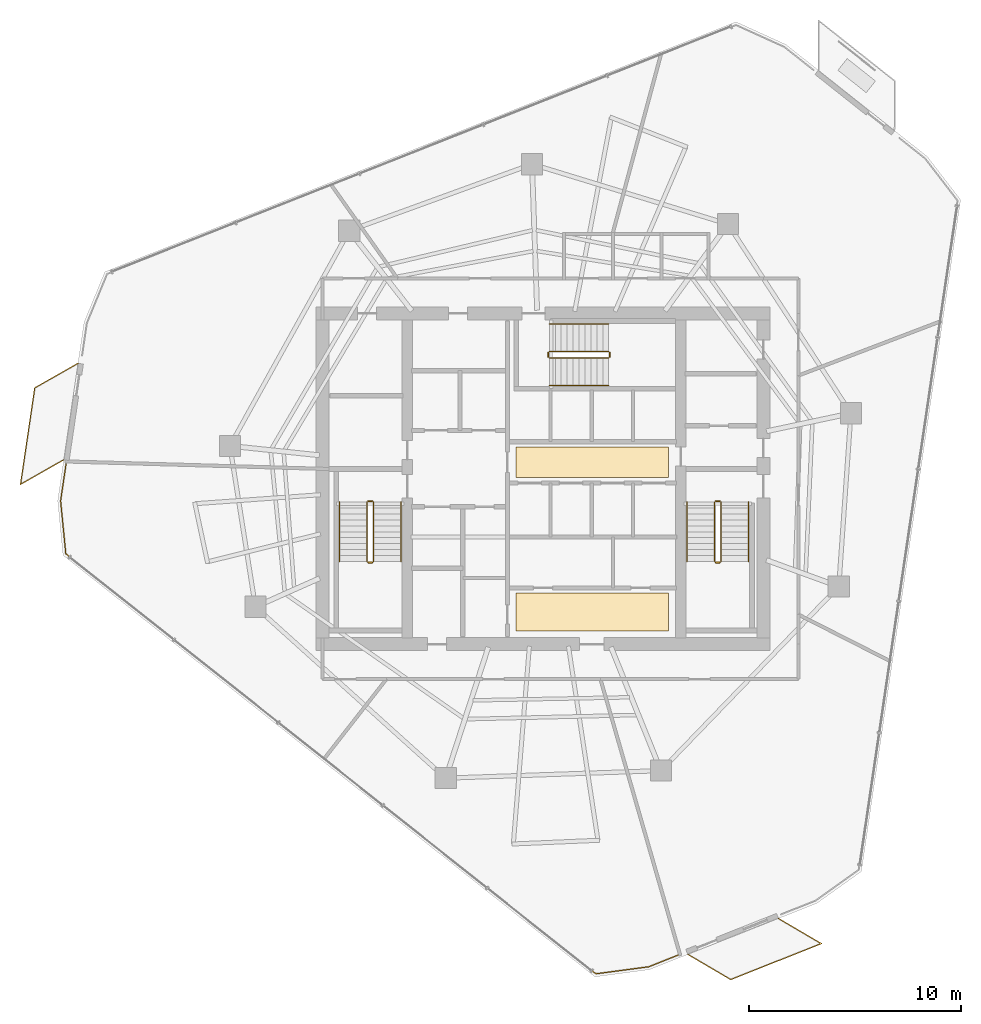
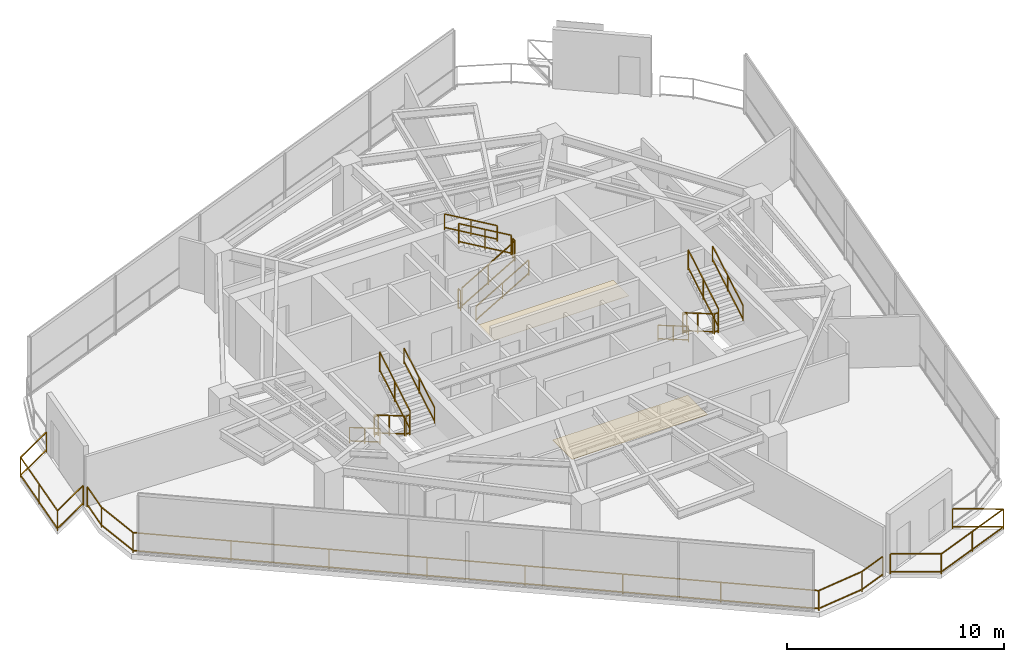
# One storey, part 19 of 20: 21 railings, 2 coverings.
"""IFC4 building model written with IfcOpenShell, lengths in metres."""

from ifc_helpers import new_model, si_unit, direction, frame, origin, origin_2d, place, context, subcontext, project, spatial, rectangle, extrude, material, layer, layer_set, type_object, element, save


model = new_model("IFC4")

# Units and contexts
model_context = context("Model", 3, precision=1e-05, world=origin(), true_north=direction((0.0, 1.0)))
body_context = subcontext(model_context, "Body", "Model", "MODEL_VIEW")
ifc_project = project(units=[si_unit("LENGTHUNIT", "METRE"), si_unit("AREAUNIT", "SQUARE_METRE"), si_unit("VOLUMEUNIT", "CUBIC_METRE"), si_unit("PLANEANGLEUNIT", "RADIAN"), si_unit("MASSUNIT", "GRAM", prefix="KILO")], contexts=[model_context])

# Site, building, storey
site_placement = place(None, origin())
site = spatial("IfcSite", under=ifc_project, at=site_placement, CompositionType="ELEMENT")
building_placement = place(site_placement, origin())
building = spatial("IfcBuilding", under=site, at=building_placement, Name="Qarnah Convention Tower", CompositionType="ELEMENT")
storey_placement = place(building_placement, frame((0.0, 0.0, 147.300048828125)))
storey = spatial("IfcBuildingStorey", under=building, at=storey_placement, Name="L39", CompositionType="ELEMENT", Elevation=147.300048828125)

# Coverings
ifc_material_1 = material(Name="Mineral fibre acoustic ceiling")
ifc_layer_1 = layer(ifc_material_1, 0.02001953125)
ifc_layer_set_1 = layer_set([ifc_layer_1], Name="Mineral fibre acoustic ceiling")
covering_type_1 = type_object("IfcCoveringType", Name="COV-CEIL-20", PredefinedType="CEILING", material=ifc_layer_set_1)
covering_1_placement = place(storey_placement, frame((39.52001953125, 27.179931640625, 2.2900390625), z_axis=(0.0, 0.0, 1.0), x_axis=(1.0, 0.0, 0.0)))
element("IfcCovering", 1, at=covering_1_placement, inside=storey, type_object=covering_type_1, Name="L39 lift lobby acoustic ceiling", PredefinedType="CEILING", context=body_context, shape_type="SweptSolid", body=[
    extrude(rectangle(XDim=7.199951171875, YDim=1.449951171875, at=origin_2d()), origin(), (0.0, 0.0, 1.0), 0.02001953125),
])
ifc_material_2 = material(Name="Porcelain stone floor tile", Category="masonry")
ifc_layer_2 = layer(ifc_material_2, 0.02001953125)
ifc_layer_set_2 = layer_set([ifc_layer_2], Name="Porcelain stone floor tile")
covering_type_2 = type_object("IfcCoveringType", Name="COV-FLOOR-20", PredefinedType="FLOORING", material=ifc_layer_set_2)
covering_2_placement = place(storey_placement, frame((39.52001953125, 20.1201171875, 0.0), z_axis=(0.0, 0.0, 1.0), x_axis=(1.0, 0.0, 0.0)))
element("IfcCovering", 2, at=covering_2_placement, inside=storey, type_object=covering_type_2, Name="L39 lift lobby porcelain stone flooring", PredefinedType="FLOORING", context=body_context, shape_type="SweptSolid", body=[
    extrude(rectangle(XDim=7.199951171875, YDim=1.800048828125, at=origin_2d()), origin(), (0.0, 0.0, 1.0), 0.02001953125),
])

# Railings
ifc_material_3 = material(Name="Black anodised aluminium", Category="aluminium")
railing_type_1 = type_object("IfcRailingType", Name="RL-EXT-GUARD-1150", PredefinedType="GUARDRAIL", material=ifc_material_3)
railing_1_placement = place(storey_placement, frame((43.6220703125, 3.948974609375, 0.0)))
element("IfcRailing", 3, at=railing_1_placement, inside=storey, type_object=railing_type_1, Name="L39 slab-edge perimeter safety guard 03", PredefinedType="GUARDRAIL", context=body_context, shape_type="SweptSolid", body=[
    extrude(rectangle(XDim=0.048095703125, YDim=0.048095703125, at=origin_2d()), frame((0.0, 0.0, 1.1259765625), z_axis=(-0.929848103441, -0.367943615962, 0.0), x_axis=(0.367943615962, -0.929848103441, 0.0)), (0.0, 0.0, 1.0), 1.552001953125),
    extrude(rectangle(XDim=0.048095703125, YDim=0.048095703125, at=origin_2d()), frame((0.0, 0.0, 0.1201171875), z_axis=(-0.929848103441, -0.367943615962, 0.0), x_axis=(0.367943615962, -0.929848103441, 0.0)), (0.0, 0.0, 1.0), 1.552001953125),
    extrude(rectangle(XDim=0.048095703125, YDim=0.048095703125, at=origin_2d()), frame((-1.443115234375, -0.571044921875, 1.1259765625), z_axis=(-0.991247460801, -0.132016936248, 0.0), x_axis=(0.132016936248, -0.991247460801, 0.0)), (0.0, 0.0, 1.0), 2.505859375),
    extrude(rectangle(XDim=0.048095703125, YDim=0.048095703125, at=origin_2d()), frame((-1.443115234375, -0.571044921875, 0.1201171875), z_axis=(-0.991247460801, -0.132016936248, 0.0), x_axis=(0.132016936248, -0.991247460801, 0.0)), (0.0, 0.0, 1.0), 2.505859375),
    extrude(rectangle(XDim=0.048095703125, YDim=0.048095703125, at=origin_2d()), frame((-3.927001953125, -0.90185546875, 1.1259765625), z_axis=(-0.783704834788, 0.621133425223, 0.0), x_axis=(-0.621133425223, -0.783704834788, 0.0)), (0.0, 0.0, 1.0), 31.907470703125),
    extrude(rectangle(XDim=0.048095703125, YDim=0.048095703125, at=origin_2d()), frame((-3.927001953125, -0.90185546875, 0.1201171875), z_axis=(-0.783704834788, 0.621133425223, 0.0), x_axis=(-0.621133425223, -0.783704834788, 0.0)), (0.0, 0.0, 1.0), 31.907470703125),
    extrude(rectangle(XDim=0.048095703125, YDim=0.048095703125, at=origin_2d()), frame((-28.93310546875, 18.9169921875, 1.1259765625), z_axis=(-0.097671658435, 0.995218693122, 0.0), x_axis=(-0.995218693122, -0.097671658435, 0.0)), (0.0, 0.0, 1.0), 2.507080078125),
    extrude(rectangle(XDim=0.048095703125, YDim=0.048095703125, at=origin_2d()), frame((-28.93310546875, 18.9169921875, 0.1201171875), z_axis=(-0.097671658435, 0.995218693122, 0.0), x_axis=(-0.995218693122, -0.097671658435, 0.0)), (0.0, 0.0, 1.0), 2.507080078125),
    extrude(rectangle(XDim=0.048095703125, YDim=0.048095703125, at=origin_2d()), frame((-29.177978515625, 21.412109375, 1.1259765625), z_axis=(0.146247504008, 0.989248031371, 0.0), x_axis=(-0.989248031371, 0.146247504008, 0.0)), (0.0, 0.0, 1.0), 1.762939453125),
    extrude(rectangle(XDim=0.048095703125, YDim=0.048095703125, at=origin_2d()), frame((-29.177978515625, 21.412109375, 0.1201171875), z_axis=(0.146247504008, 0.989248031371, 0.0), x_axis=(-0.989248031371, 0.146247504008, 0.0)), (0.0, 0.0, 1.0), 1.762939453125),
    extrude(rectangle(XDim=0.0419921875, YDim=0.0419921875, at=origin_2d()), origin(), (0.0, 0.0, 1.0), 1.101806640625),
    extrude(rectangle(XDim=0.0419921875, YDim=0.0419921875, at=origin_2d()), frame((-1.443115234375, -0.571044921875, 0.0)), (0.0, 0.0, 1.0), 1.101806640625),
    extrude(rectangle(XDim=0.0419921875, YDim=0.0419921875, at=origin_2d()), frame((-3.927001953125, -0.90185546875, 0.0)), (0.0, 0.0, 1.0), 1.101806640625),
    extrude(rectangle(XDim=0.0419921875, YDim=0.0419921875, at=origin_2d()), frame((-7.499267578125, 1.929443359375, 0.0)), (0.0, 0.0, 1.0), 1.101806640625),
    extrude(rectangle(XDim=0.0419921875, YDim=0.0419921875, at=origin_2d()), frame((-11.071533203125, 4.7607421875, 0.0)), (0.0, 0.0, 1.0), 1.101806640625),
    extrude(rectangle(XDim=0.0419921875, YDim=0.0419921875, at=origin_2d()), frame((-14.643798828125, 7.592041015625, 0.0)), (0.0, 0.0, 1.0), 1.101806640625),
    extrude(rectangle(XDim=0.0419921875, YDim=0.0419921875, at=origin_2d()), frame((-18.21630859375, 10.423095703125, 0.0)), (0.0, 0.0, 1.0), 1.101806640625),
    extrude(rectangle(XDim=0.0419921875, YDim=0.0419921875, at=origin_2d()), frame((-21.78857421875, 13.25439453125, 0.0)), (0.0, 0.0, 1.0), 1.101806640625),
    extrude(rectangle(XDim=0.0419921875, YDim=0.0419921875, at=origin_2d()), frame((-25.36083984375, 16.085693359375, 0.0)), (0.0, 0.0, 1.0), 1.101806640625),
    extrude(rectangle(XDim=0.0419921875, YDim=0.0419921875, at=origin_2d()), frame((-28.93310546875, 18.9169921875, 0.0)), (0.0, 0.0, 1.0), 1.101806640625),
    extrude(rectangle(XDim=0.0419921875, YDim=0.0419921875, at=origin_2d()), frame((-29.177978515625, 21.412109375, 0.0)), (0.0, 0.0, 1.0), 1.101806640625),
    extrude(rectangle(XDim=0.0419921875, YDim=0.0419921875, at=origin_2d()), frame((-28.920166015625, 23.156005859375, 0.0)), (0.0, 0.0, 1.0), 1.101806640625),
])
railing_2_placement = place(storey_placement, frame((14.593017578125, 27.2958984375, 0.0)))
element("IfcRailing", 4, at=railing_2_placement, inside=storey, type_object=railing_type_1, Name="L39 balcony safety guard BAL-L39-C2", PredefinedType="GUARDRAIL", context=body_context, shape_type="SweptSolid", body=[
    extrude(rectangle(XDim=0.048095703125, YDim=0.048095703125, at=origin_2d()), frame((0.0, 0.0, 1.1259765625), z_axis=(-0.869411885232, -0.494088022337, 0.0), x_axis=(0.494088022337, -0.869411885232, 0.0)), (0.0, 0.0, 1.0), 2.34765625),
    extrude(rectangle(XDim=0.048095703125, YDim=0.048095703125, at=origin_2d()), frame((0.0, 0.0, 0.1201171875), z_axis=(-0.869411885232, -0.494088022337, 0.0), x_axis=(0.494088022337, -0.869411885232, 0.0)), (0.0, 0.0, 1.0), 2.34765625),
    extrude(rectangle(XDim=0.048095703125, YDim=0.048095703125, at=origin_2d()), frame((-2.041015625, -1.159912109375, 1.1259765625), z_axis=(0.146100510977, 0.989269751227, 0.0), x_axis=(-0.989269751227, 0.146100510977, 0.0)), (0.0, 0.0, 1.0), 4.600341796875),
    extrude(rectangle(XDim=0.048095703125, YDim=0.048095703125, at=origin_2d()), frame((-2.041015625, -1.159912109375, 0.1201171875), z_axis=(0.146100510977, 0.989269751227, 0.0), x_axis=(-0.989269751227, 0.146100510977, 0.0)), (0.0, 0.0, 1.0), 4.600341796875),
    extrude(rectangle(XDim=0.048095703125, YDim=0.048095703125, at=origin_2d()), frame((-1.368896484375, 3.39111328125, 1.1259765625), z_axis=(0.869565194442, 0.493818157437, 0.0), x_axis=(-0.493818157437, 0.869565194442, 0.0)), (0.0, 0.0, 1.0), 2.346923828125),
    extrude(rectangle(XDim=0.048095703125, YDim=0.048095703125, at=origin_2d()), frame((-1.368896484375, 3.39111328125, 0.1201171875), z_axis=(0.869565194442, 0.493818157437, 0.0), x_axis=(-0.493818157437, 0.869565194442, 0.0)), (0.0, 0.0, 1.0), 2.346923828125),
    extrude(rectangle(XDim=0.0419921875, YDim=0.0419921875, at=origin_2d()), origin(), (0.0, 0.0, 1.0), 1.101806640625),
    extrude(rectangle(XDim=0.0419921875, YDim=0.0419921875, at=origin_2d()), frame((-2.041015625, -1.159912109375, 0.0)), (0.0, 0.0, 1.0), 1.101806640625),
    extrude(rectangle(XDim=0.0419921875, YDim=0.0419921875, at=origin_2d()), frame((-1.705078125, 1.11572265625, 0.0)), (0.0, 0.0, 1.0), 1.101806640625),
    extrude(rectangle(XDim=0.0419921875, YDim=0.0419921875, at=origin_2d()), frame((-1.368896484375, 3.39111328125, 0.0)), (0.0, 0.0, 1.0), 1.101806640625),
    extrude(rectangle(XDim=0.0419921875, YDim=0.0419921875, at=origin_2d()), frame((0.671875, 4.550048828125, 0.0)), (0.0, 0.0, 1.0), 1.101806640625),
])
railing_3_placement = place(storey_placement, frame((48.305908203125, 5.657958984375, 0.0)))
element("IfcRailing", 5, at=railing_3_placement, inside=storey, type_object=railing_type_1, Name="L39 balcony safety guard BAL-L39-C3", PredefinedType="GUARDRAIL", context=body_context, shape_type="SweptSolid", body=[
    extrude(rectangle(XDim=0.048095703125, YDim=0.048095703125, at=origin_2d()), frame((0.0, 0.0, 1.1259765625), z_axis=(0.862543058658, -0.505983667683, 0.0), x_axis=(0.505983667683, 0.862543058658, 0.0)), (0.0, 0.0, 1.0), 2.347900390625),
    extrude(rectangle(XDim=0.048095703125, YDim=0.048095703125, at=origin_2d()), frame((0.0, 0.0, 0.1201171875), z_axis=(0.862543058658, -0.505983667683, 0.0), x_axis=(0.505983667683, 0.862543058658, 0.0)), (0.0, 0.0, 1.0), 2.347900390625),
    extrude(rectangle(XDim=0.048095703125, YDim=0.048095703125, at=origin_2d()), frame((2.025146484375, -1.18798828125, 1.1259765625), z_axis=(-0.929817586099, -0.368020728467, 0.0), x_axis=(0.368020728467, -0.929817586099, 0.0)), (0.0, 0.0, 1.0), 4.599853515625),
    extrude(rectangle(XDim=0.048095703125, YDim=0.048095703125, at=origin_2d()), frame((2.025146484375, -1.18798828125, 0.1201171875), z_axis=(-0.929817586099, -0.368020728467, 0.0), x_axis=(0.368020728467, -0.929817586099, 0.0)), (0.0, 0.0, 1.0), 4.599853515625),
    extrude(rectangle(XDim=0.048095703125, YDim=0.048095703125, at=origin_2d()), frame((-2.251953125, -2.880859375, 1.1259765625), z_axis=(-0.862516433277, 0.506029052849, 0.0), x_axis=(-0.506029052849, -0.862516433277, 0.0)), (0.0, 0.0, 1.0), 2.34765625),
    extrude(rectangle(XDim=0.048095703125, YDim=0.048095703125, at=origin_2d()), frame((-2.251953125, -2.880859375, 0.1201171875), z_axis=(-0.862516433277, 0.506029052849, 0.0), x_axis=(-0.506029052849, -0.862516433277, 0.0)), (0.0, 0.0, 1.0), 2.34765625),
    extrude(rectangle(XDim=0.0419921875, YDim=0.0419921875, at=origin_2d()), origin(), (0.0, 0.0, 1.0), 1.101806640625),
    extrude(rectangle(XDim=0.0419921875, YDim=0.0419921875, at=origin_2d()), frame((2.025146484375, -1.18798828125, 0.0)), (0.0, 0.0, 1.0), 1.101806640625),
    extrude(rectangle(XDim=0.0419921875, YDim=0.0419921875, at=origin_2d()), frame((-0.11328125, -2.034423828125, 0.0)), (0.0, 0.0, 1.0), 1.101806640625),
    extrude(rectangle(XDim=0.0419921875, YDim=0.0419921875, at=origin_2d()), frame((-2.251953125, -2.880859375, 0.0)), (0.0, 0.0, 1.0), 1.101806640625),
    extrude(rectangle(XDim=0.0419921875, YDim=0.0419921875, at=origin_2d()), frame((-4.27685546875, -1.69287109375, 0.0)), (0.0, 0.0, 1.0), 1.101806640625),
])
ifc_material_4 = material(Name="Structural steel S355JR", Category="steel")
railing_type_2 = type_object("IfcRailingType", Name="RL-STAIR-GUARD-1150", PredefinedType="GUARDRAIL", material=ifc_material_4)
railing_4_placement = place(storey_placement, frame((28.89990234375, 25.300048828125, 0.16357421875)))
element("IfcRailing", 6, at=railing_4_placement, inside=storey, type_object=railing_type_2, Name="L39 ST-1 stair guard 1", PredefinedType="GUARDRAIL", context=body_context, shape_type="SweptSolid", body=[
    extrude(rectangle(XDim=0.048095703125, YDim=0.048095703125, at=origin_2d()), frame((0.0, 0.0, 1.1259765625), z_axis=(0.0, -0.863360870873, 0.504586966384), x_axis=(1.0, 0.0, 0.0)), (0.0, 0.0, 1.0), 3.2431640625),
    extrude(rectangle(XDim=0.048095703125, YDim=0.048095703125, at=origin_2d()), frame((0.0, 0.0, 0.1201171875), z_axis=(0.0, -0.863360870873, 0.504586966384), x_axis=(1.0, 0.0, 0.0)), (0.0, 0.0, 1.0), 3.2431640625),
    extrude(rectangle(XDim=0.0419921875, YDim=0.0419921875, at=origin_2d()), origin(), (0.0, 0.0, 1.0), 1.101806640625),
    extrude(rectangle(XDim=0.0419921875, YDim=0.0419921875, at=origin_2d()), frame((0.0, -1.39990234375, 0.818359375)), (0.0, 0.0, 1.0), 1.101806640625),
    extrude(rectangle(XDim=0.0419921875, YDim=0.0419921875, at=origin_2d()), frame((0.0, -2.800048828125, 1.636474609375)), (0.0, 0.0, 1.0), 1.101806640625),
])
railing_5_placement = place(storey_placement, frame((28.949951171875, 22.449951171875, 1.800048828125)))
element("IfcRailing", 7, at=railing_5_placement, inside=storey, type_object=railing_type_2, Name="L39 ST-1 stair guard 2", PredefinedType="GUARDRAIL", context=body_context, shape_type="SweptSolid", body=[
    extrude(rectangle(XDim=0.048095703125, YDim=0.048095703125, at=origin_2d()), frame((0.0, 0.0, 1.1259765625), z_axis=(1.0, 0.0, 0.0), x_axis=(0.0, 1.0, 0.0)), (0.0, 0.0, 1.0), 0.199951171875),
    extrude(rectangle(XDim=0.048095703125, YDim=0.048095703125, at=origin_2d()), frame((0.0, 0.0, 0.1201171875), z_axis=(1.0, 0.0, 0.0), x_axis=(0.0, 1.0, 0.0)), (0.0, 0.0, 1.0), 0.199951171875),
    extrude(rectangle(XDim=0.0419921875, YDim=0.0419921875, at=origin_2d()), origin(), (0.0, 0.0, 1.0), 1.101806640625),
    extrude(rectangle(XDim=0.0419921875, YDim=0.0419921875, at=origin_2d()), frame((0.199951171875, 0.0, 0.0)), (0.0, 0.0, 1.0), 1.101806640625),
])
railing_6_placement = place(storey_placement, frame((29.199951171875, 22.5, 1.963623046875)))
element("IfcRailing", 8, at=railing_6_placement, inside=storey, type_object=railing_type_2, Name="L39 ST-1 stair guard 3", PredefinedType="GUARDRAIL", context=body_context, shape_type="SweptSolid", body=[
    extrude(rectangle(XDim=0.048095703125, YDim=0.048095703125, at=origin_2d()), frame((0.0, 0.0, 1.1259765625), z_axis=(0.0, 0.863393664356, 0.504530851732), x_axis=(-1.0, 0.0, 0.0)), (0.0, 0.0, 1.0), 3.2431640625),
    extrude(rectangle(XDim=0.048095703125, YDim=0.048095703125, at=origin_2d()), frame((0.0, 0.0, 0.1201171875), z_axis=(0.0, 0.863393664356, 0.504530851732), x_axis=(-1.0, 0.0, 0.0)), (0.0, 0.0, 1.0), 3.2431640625),
    extrude(rectangle(XDim=0.0419921875, YDim=0.0419921875, at=origin_2d()), origin(), (0.0, 0.0, 1.0), 1.101806640625),
    extrude(rectangle(XDim=0.0419921875, YDim=0.0419921875, at=origin_2d()), frame((0.0, 1.39990234375, 0.818115234375)), (0.0, 0.0, 1.0), 1.101806640625),
    extrude(rectangle(XDim=0.0419921875, YDim=0.0419921875, at=origin_2d()), frame((0.0, 2.800048828125, 1.63623046875)), (0.0, 0.0, 1.0), 1.101806640625),
])
railing_7_placement = place(storey_placement, frame((28.949951171875, 25.35009765625, 0.0)))
element("IfcRailing", 9, at=railing_7_placement, inside=storey, type_object=railing_type_2, Name="L39 ST-1 stair guard 4", PredefinedType="GUARDRAIL", context=body_context, shape_type="SweptSolid", body=[
    extrude(rectangle(XDim=0.048095703125, YDim=0.048095703125, at=origin_2d()), frame((0.0, 0.0, 1.1259765625), z_axis=(1.0, 0.0, 0.0), x_axis=(0.0, 1.0, 0.0)), (0.0, 0.0, 1.0), 0.199951171875),
    extrude(rectangle(XDim=0.048095703125, YDim=0.048095703125, at=origin_2d()), frame((0.0, 0.0, 0.1201171875), z_axis=(1.0, 0.0, 0.0), x_axis=(0.0, 1.0, 0.0)), (0.0, 0.0, 1.0), 0.199951171875),
    extrude(rectangle(XDim=0.0419921875, YDim=0.0419921875, at=origin_2d()), origin(), (0.0, 0.0, 1.0), 1.101806640625),
    extrude(rectangle(XDim=0.0419921875, YDim=0.0419921875, at=origin_2d()), frame((0.199951171875, 0.0, 0.0)), (0.0, 0.0, 1.0), 1.101806640625),
])
railing_8_placement = place(storey_placement, frame((45.300048828125, 25.300048828125, 0.16357421875)))
element("IfcRailing", 10, at=railing_8_placement, inside=storey, type_object=railing_type_2, Name="L39 ST-2 stair guard 1", PredefinedType="GUARDRAIL", context=body_context, shape_type="SweptSolid", body=[
    extrude(rectangle(XDim=0.048095703125, YDim=0.048095703125, at=origin_2d()), frame((0.0, 0.0, 1.1259765625), z_axis=(0.0, -0.863360870873, 0.504586966384), x_axis=(1.0, 0.0, 0.0)), (0.0, 0.0, 1.0), 3.2431640625),
    extrude(rectangle(XDim=0.048095703125, YDim=0.048095703125, at=origin_2d()), frame((0.0, 0.0, 0.1201171875), z_axis=(0.0, -0.863360870873, 0.504586966384), x_axis=(1.0, 0.0, 0.0)), (0.0, 0.0, 1.0), 3.2431640625),
    extrude(rectangle(XDim=0.0419921875, YDim=0.0419921875, at=origin_2d()), origin(), (0.0, 0.0, 1.0), 1.101806640625),
    extrude(rectangle(XDim=0.0419921875, YDim=0.0419921875, at=origin_2d()), frame((0.0, -1.39990234375, 0.818359375)), (0.0, 0.0, 1.0), 1.101806640625),
    extrude(rectangle(XDim=0.0419921875, YDim=0.0419921875, at=origin_2d()), frame((0.0, -2.800048828125, 1.636474609375)), (0.0, 0.0, 1.0), 1.101806640625),
])
railing_9_placement = place(storey_placement, frame((45.35009765625, 22.449951171875, 1.800048828125)))
element("IfcRailing", 11, at=railing_9_placement, inside=storey, type_object=railing_type_2, Name="L39 ST-2 stair guard 2", PredefinedType="GUARDRAIL", context=body_context, shape_type="SweptSolid", body=[
    extrude(rectangle(XDim=0.048095703125, YDim=0.048095703125, at=origin_2d()), frame((0.0, 0.0, 1.1259765625), z_axis=(1.0, 0.0, 0.0), x_axis=(0.0, 1.0, 0.0)), (0.0, 0.0, 1.0), 0.199951171875),
    extrude(rectangle(XDim=0.048095703125, YDim=0.048095703125, at=origin_2d()), frame((0.0, 0.0, 0.1201171875), z_axis=(1.0, 0.0, 0.0), x_axis=(0.0, 1.0, 0.0)), (0.0, 0.0, 1.0), 0.199951171875),
    extrude(rectangle(XDim=0.0419921875, YDim=0.0419921875, at=origin_2d()), origin(), (0.0, 0.0, 1.0), 1.101806640625),
    extrude(rectangle(XDim=0.0419921875, YDim=0.0419921875, at=origin_2d()), frame((0.199951171875, 0.0, 0.0)), (0.0, 0.0, 1.0), 1.101806640625),
])
railing_10_placement = place(storey_placement, frame((45.60009765625, 22.5, 1.963623046875)))
element("IfcRailing", 12, at=railing_10_placement, inside=storey, type_object=railing_type_2, Name="L39 ST-2 stair guard 3", PredefinedType="GUARDRAIL", context=body_context, shape_type="SweptSolid", body=[
    extrude(rectangle(XDim=0.048095703125, YDim=0.048095703125, at=origin_2d()), frame((0.0, 0.0, 1.1259765625), z_axis=(0.0, 0.863393664356, 0.504530851732), x_axis=(-1.0, 0.0, 0.0)), (0.0, 0.0, 1.0), 3.2431640625),
    extrude(rectangle(XDim=0.048095703125, YDim=0.048095703125, at=origin_2d()), frame((0.0, 0.0, 0.1201171875), z_axis=(0.0, 0.863393664356, 0.504530851732), x_axis=(-1.0, 0.0, 0.0)), (0.0, 0.0, 1.0), 3.2431640625),
    extrude(rectangle(XDim=0.0419921875, YDim=0.0419921875, at=origin_2d()), origin(), (0.0, 0.0, 1.0), 1.101806640625),
    extrude(rectangle(XDim=0.0419921875, YDim=0.0419921875, at=origin_2d()), frame((0.0, 1.39990234375, 0.818115234375)), (0.0, 0.0, 1.0), 1.101806640625),
    extrude(rectangle(XDim=0.0419921875, YDim=0.0419921875, at=origin_2d()), frame((0.0, 2.800048828125, 1.63623046875)), (0.0, 0.0, 1.0), 1.101806640625),
])
railing_11_placement = place(storey_placement, frame((45.35009765625, 25.35009765625, 0.0)))
element("IfcRailing", 13, at=railing_11_placement, inside=storey, type_object=railing_type_2, Name="L39 ST-2 stair guard 4", PredefinedType="GUARDRAIL", context=body_context, shape_type="SweptSolid", body=[
    extrude(rectangle(XDim=0.048095703125, YDim=0.048095703125, at=origin_2d()), frame((0.0, 0.0, 1.1259765625), z_axis=(1.0, 0.0, 0.0), x_axis=(0.0, 1.0, 0.0)), (0.0, 0.0, 1.0), 0.199951171875),
    extrude(rectangle(XDim=0.048095703125, YDim=0.048095703125, at=origin_2d()), frame((0.0, 0.0, 0.1201171875), z_axis=(1.0, 0.0, 0.0), x_axis=(0.0, 1.0, 0.0)), (0.0, 0.0, 1.0), 0.199951171875),
    extrude(rectangle(XDim=0.0419921875, YDim=0.0419921875, at=origin_2d()), origin(), (0.0, 0.0, 1.0), 1.101806640625),
    extrude(rectangle(XDim=0.0419921875, YDim=0.0419921875, at=origin_2d()), frame((0.199951171875, 0.0, 0.0)), (0.0, 0.0, 1.0), 1.101806640625),
])
railing_12_placement = place(storey_placement, frame((37.5, 32.10009765625, 0.16357421875)))
element("IfcRailing", 14, at=railing_12_placement, inside=storey, type_object=railing_type_2, Name="L39 ST-3 stair guard 1", PredefinedType="GUARDRAIL", context=body_context, shape_type="SweptSolid", body=[
    extrude(rectangle(XDim=0.048095703125, YDim=0.048095703125, at=origin_2d()), frame((0.0, 0.0, 1.1259765625), z_axis=(0.863360870873, 0.0, 0.504586966384), x_axis=(0.0, 1.0, 0.0)), (0.0, 0.0, 1.0), 3.2431640625),
    extrude(rectangle(XDim=0.048095703125, YDim=0.048095703125, at=origin_2d()), frame((0.0, 0.0, 0.1201171875), z_axis=(0.863360870873, 0.0, 0.504586966384), x_axis=(0.0, 1.0, 0.0)), (0.0, 0.0, 1.0), 3.2431640625),
    extrude(rectangle(XDim=0.0419921875, YDim=0.0419921875, at=origin_2d()), origin(), (0.0, 0.0, 1.0), 1.101806640625),
    extrude(rectangle(XDim=0.0419921875, YDim=0.0419921875, at=origin_2d()), frame((1.39990234375, 0.0, 0.818359375)), (0.0, 0.0, 1.0), 1.101806640625),
    extrude(rectangle(XDim=0.0419921875, YDim=0.0419921875, at=origin_2d()), frame((2.800048828125, 0.0, 1.636474609375)), (0.0, 0.0, 1.0), 1.101806640625),
])
railing_13_placement = place(storey_placement, frame((40.35009765625, 32.14990234375, 1.800048828125)))
element("IfcRailing", 15, at=railing_13_placement, inside=storey, type_object=railing_type_2, Name="L39 ST-3 stair guard 2", PredefinedType="GUARDRAIL", context=body_context, shape_type="SweptSolid", body=[
    extrude(rectangle(XDim=0.048095703125, YDim=0.048095703125, at=origin_2d()), frame((0.0, 0.0, 1.1259765625), z_axis=(0.0, 1.0, 0.0), x_axis=(-1.0, 0.0, 0.0)), (0.0, 0.0, 1.0), 0.2001953125),
    extrude(rectangle(XDim=0.048095703125, YDim=0.048095703125, at=origin_2d()), frame((0.0, 0.0, 0.1201171875), z_axis=(0.0, 1.0, 0.0), x_axis=(-1.0, 0.0, 0.0)), (0.0, 0.0, 1.0), 0.2001953125),
    extrude(rectangle(XDim=0.0419921875, YDim=0.0419921875, at=origin_2d()), origin(), (0.0, 0.0, 1.0), 1.101806640625),
    extrude(rectangle(XDim=0.0419921875, YDim=0.0419921875, at=origin_2d()), frame((0.0, 0.2001953125, 0.0)), (0.0, 0.0, 1.0), 1.101806640625),
])
railing_14_placement = place(storey_placement, frame((40.300048828125, 32.39990234375, 1.963623046875)))
element("IfcRailing", 16, at=railing_14_placement, inside=storey, type_object=railing_type_2, Name="L39 ST-3 stair guard 3", PredefinedType="GUARDRAIL", context=body_context, shape_type="SweptSolid", body=[
    extrude(rectangle(XDim=0.048095703125, YDim=0.048095703125, at=origin_2d()), frame((0.0, 0.0, 1.1259765625), z_axis=(-0.863393664356, 0.0, 0.504530851732), x_axis=(0.0, -1.0, 0.0)), (0.0, 0.0, 1.0), 3.2431640625),
    extrude(rectangle(XDim=0.048095703125, YDim=0.048095703125, at=origin_2d()), frame((0.0, 0.0, 0.1201171875), z_axis=(-0.863393664356, 0.0, 0.504530851732), x_axis=(0.0, -1.0, 0.0)), (0.0, 0.0, 1.0), 3.2431640625),
    extrude(rectangle(XDim=0.0419921875, YDim=0.0419921875, at=origin_2d()), origin(), (0.0, 0.0, 1.0), 1.101806640625),
    extrude(rectangle(XDim=0.0419921875, YDim=0.0419921875, at=origin_2d()), frame((-1.39990234375, 0.0, 0.818115234375)), (0.0, 0.0, 1.0), 1.101806640625),
    extrude(rectangle(XDim=0.0419921875, YDim=0.0419921875, at=origin_2d()), frame((-2.800048828125, 0.0, 1.63623046875)), (0.0, 0.0, 1.0), 1.101806640625),
])
railing_15_placement = place(storey_placement, frame((37.449951171875, 32.14990234375, 0.0)))
element("IfcRailing", 17, at=railing_15_placement, inside=storey, type_object=railing_type_2, Name="L39 ST-3 stair guard 4", PredefinedType="GUARDRAIL", context=body_context, shape_type="SweptSolid", body=[
    extrude(rectangle(XDim=0.048095703125, YDim=0.048095703125, at=origin_2d()), frame((0.0, 0.0, 1.1259765625), z_axis=(0.0, 1.0, 0.0), x_axis=(-1.0, 0.0, 0.0)), (0.0, 0.0, 1.0), 0.2001953125),
    extrude(rectangle(XDim=0.048095703125, YDim=0.048095703125, at=origin_2d()), frame((0.0, 0.0, 0.1201171875), z_axis=(0.0, 1.0, 0.0), x_axis=(-1.0, 0.0, 0.0)), (0.0, 0.0, 1.0), 0.2001953125),
    extrude(rectangle(XDim=0.0419921875, YDim=0.0419921875, at=origin_2d()), origin(), (0.0, 0.0, 1.0), 1.101806640625),
    extrude(rectangle(XDim=0.0419921875, YDim=0.0419921875, at=origin_2d()), frame((0.0, 0.2001953125, 0.0)), (0.0, 0.0, 1.0), 1.101806640625),
])
railing_type_3 = type_object("IfcRailingType", Name="RL-STAIR-HAND-900", PredefinedType="HANDRAIL", material=ifc_material_4)
railing_16_placement = place(storey_placement, frame((27.60009765625, 25.300048828125, 0.16357421875)))
element("IfcRailing", 18, at=railing_16_placement, inside=storey, type_object=railing_type_3, Name="L39 ST-1 stair handrail 1", PredefinedType="HANDRAIL", context=body_context, shape_type="SweptSolid", body=[
    extrude(rectangle(XDim=0.048095703125, YDim=0.048095703125, at=origin_2d()), frame((0.0, 0.0, 0.8759765625), z_axis=(0.0, -0.863360870873, 0.504586966384), x_axis=(1.0, 0.0, 0.0)), (0.0, 0.0, 1.0), 3.2431640625),
    extrude(rectangle(XDim=0.048095703125, YDim=0.048095703125, at=origin_2d()), frame((0.0, 0.0, 0.1201171875), z_axis=(0.0, -0.863360870873, 0.504586966384), x_axis=(1.0, 0.0, 0.0)), (0.0, 0.0, 1.0), 3.2431640625),
    extrude(rectangle(XDim=0.0419921875, YDim=0.0419921875, at=origin_2d()), origin(), (0.0, 0.0, 1.0), 0.851806640625),
    extrude(rectangle(XDim=0.0419921875, YDim=0.0419921875, at=origin_2d()), frame((0.0, -1.39990234375, 0.818359375)), (0.0, 0.0, 1.0), 0.851806640625),
    extrude(rectangle(XDim=0.0419921875, YDim=0.0419921875, at=origin_2d()), frame((0.0, -2.800048828125, 1.636474609375)), (0.0, 0.0, 1.0), 0.851806640625),
])
railing_17_placement = place(storey_placement, frame((30.5, 22.5, 1.963623046875)))
element("IfcRailing", 19, at=railing_17_placement, inside=storey, type_object=railing_type_3, Name="L39 ST-1 stair handrail 2", PredefinedType="HANDRAIL", context=body_context, shape_type="SweptSolid", body=[
    extrude(rectangle(XDim=0.048095703125, YDim=0.048095703125, at=origin_2d()), frame((0.0, 0.0, 0.8759765625), z_axis=(0.0, 0.863393664356, 0.504530851732), x_axis=(-1.0, 0.0, 0.0)), (0.0, 0.0, 1.0), 3.2431640625),
    extrude(rectangle(XDim=0.048095703125, YDim=0.048095703125, at=origin_2d()), frame((0.0, 0.0, 0.1201171875), z_axis=(0.0, 0.863393664356, 0.504530851732), x_axis=(-1.0, 0.0, 0.0)), (0.0, 0.0, 1.0), 3.2431640625),
    extrude(rectangle(XDim=0.0419921875, YDim=0.0419921875, at=origin_2d()), origin(), (0.0, 0.0, 1.0), 0.851806640625),
    extrude(rectangle(XDim=0.0419921875, YDim=0.0419921875, at=origin_2d()), frame((0.0, 1.39990234375, 0.818115234375)), (0.0, 0.0, 1.0), 0.851806640625),
    extrude(rectangle(XDim=0.0419921875, YDim=0.0419921875, at=origin_2d()), frame((0.0, 2.800048828125, 1.63623046875)), (0.0, 0.0, 1.0), 0.851806640625),
])
railing_18_placement = place(storey_placement, frame((44.0, 25.300048828125, 0.16357421875)))
element("IfcRailing", 20, at=railing_18_placement, inside=storey, type_object=railing_type_3, Name="L39 ST-2 stair handrail 1", PredefinedType="HANDRAIL", context=body_context, shape_type="SweptSolid", body=[
    extrude(rectangle(XDim=0.048095703125, YDim=0.048095703125, at=origin_2d()), frame((0.0, 0.0, 0.8759765625), z_axis=(0.0, -0.863360870873, 0.504586966384), x_axis=(1.0, 0.0, 0.0)), (0.0, 0.0, 1.0), 3.2431640625),
    extrude(rectangle(XDim=0.048095703125, YDim=0.048095703125, at=origin_2d()), frame((0.0, 0.0, 0.1201171875), z_axis=(0.0, -0.863360870873, 0.504586966384), x_axis=(1.0, 0.0, 0.0)), (0.0, 0.0, 1.0), 3.2431640625),
    extrude(rectangle(XDim=0.0419921875, YDim=0.0419921875, at=origin_2d()), origin(), (0.0, 0.0, 1.0), 0.851806640625),
    extrude(rectangle(XDim=0.0419921875, YDim=0.0419921875, at=origin_2d()), frame((0.0, -1.39990234375, 0.818359375)), (0.0, 0.0, 1.0), 0.851806640625),
    extrude(rectangle(XDim=0.0419921875, YDim=0.0419921875, at=origin_2d()), frame((0.0, -2.800048828125, 1.636474609375)), (0.0, 0.0, 1.0), 0.851806640625),
])
railing_19_placement = place(storey_placement, frame((46.89990234375, 22.5, 1.963623046875)))
element("IfcRailing", 21, at=railing_19_placement, inside=storey, type_object=railing_type_3, Name="L39 ST-2 stair handrail 2", PredefinedType="HANDRAIL", context=body_context, shape_type="SweptSolid", body=[
    extrude(rectangle(XDim=0.048095703125, YDim=0.048095703125, at=origin_2d()), frame((0.0, 0.0, 0.8759765625), z_axis=(0.0, 0.863393664356, 0.504530851732), x_axis=(-1.0, 0.0, 0.0)), (0.0, 0.0, 1.0), 3.2431640625),
    extrude(rectangle(XDim=0.048095703125, YDim=0.048095703125, at=origin_2d()), frame((0.0, 0.0, 0.1201171875), z_axis=(0.0, 0.863393664356, 0.504530851732), x_axis=(-1.0, 0.0, 0.0)), (0.0, 0.0, 1.0), 3.2431640625),
    extrude(rectangle(XDim=0.0419921875, YDim=0.0419921875, at=origin_2d()), origin(), (0.0, 0.0, 1.0), 0.851806640625),
    extrude(rectangle(XDim=0.0419921875, YDim=0.0419921875, at=origin_2d()), frame((0.0, 1.39990234375, 0.818115234375)), (0.0, 0.0, 1.0), 0.851806640625),
    extrude(rectangle(XDim=0.0419921875, YDim=0.0419921875, at=origin_2d()), frame((0.0, 2.800048828125, 1.63623046875)), (0.0, 0.0, 1.0), 0.851806640625),
])
railing_20_placement = place(storey_placement, frame((37.5, 30.800048828125, 0.16357421875)))
element("IfcRailing", 22, at=railing_20_placement, inside=storey, type_object=railing_type_3, Name="L39 ST-3 stair handrail 1", PredefinedType="HANDRAIL", context=body_context, shape_type="SweptSolid", body=[
    extrude(rectangle(XDim=0.048095703125, YDim=0.048095703125, at=origin_2d()), frame((0.0, 0.0, 0.8759765625), z_axis=(0.863360870873, 0.0, 0.504586966384), x_axis=(0.0, 1.0, 0.0)), (0.0, 0.0, 1.0), 3.2431640625),
    extrude(rectangle(XDim=0.048095703125, YDim=0.048095703125, at=origin_2d()), frame((0.0, 0.0, 0.1201171875), z_axis=(0.863360870873, 0.0, 0.504586966384), x_axis=(0.0, 1.0, 0.0)), (0.0, 0.0, 1.0), 3.2431640625),
    extrude(rectangle(XDim=0.0419921875, YDim=0.0419921875, at=origin_2d()), origin(), (0.0, 0.0, 1.0), 0.851806640625),
    extrude(rectangle(XDim=0.0419921875, YDim=0.0419921875, at=origin_2d()), frame((1.39990234375, 0.0, 0.818359375)), (0.0, 0.0, 1.0), 0.851806640625),
    extrude(rectangle(XDim=0.0419921875, YDim=0.0419921875, at=origin_2d()), frame((2.800048828125, 0.0, 1.636474609375)), (0.0, 0.0, 1.0), 0.851806640625),
])
railing_21_placement = place(storey_placement, frame((40.300048828125, 33.699951171875, 1.963623046875)))
element("IfcRailing", 23, at=railing_21_placement, inside=storey, type_object=railing_type_3, Name="L39 ST-3 stair handrail 2", PredefinedType="HANDRAIL", context=body_context, shape_type="SweptSolid", body=[
    extrude(rectangle(XDim=0.048095703125, YDim=0.048095703125, at=origin_2d()), frame((0.0, 0.0, 0.8759765625), z_axis=(-0.863393664356, 0.0, 0.504530851732), x_axis=(0.0, -1.0, 0.0)), (0.0, 0.0, 1.0), 3.2431640625),
    extrude(rectangle(XDim=0.048095703125, YDim=0.048095703125, at=origin_2d()), frame((0.0, 0.0, 0.1201171875), z_axis=(-0.863393664356, 0.0, 0.504530851732), x_axis=(0.0, -1.0, 0.0)), (0.0, 0.0, 1.0), 3.2431640625),
    extrude(rectangle(XDim=0.0419921875, YDim=0.0419921875, at=origin_2d()), origin(), (0.0, 0.0, 1.0), 0.851806640625),
    extrude(rectangle(XDim=0.0419921875, YDim=0.0419921875, at=origin_2d()), frame((-1.39990234375, 0.0, 0.818115234375)), (0.0, 0.0, 1.0), 0.851806640625),
    extrude(rectangle(XDim=0.0419921875, YDim=0.0419921875, at=origin_2d()), frame((-2.800048828125, 0.0, 1.63623046875)), (0.0, 0.0, 1.0), 0.851806640625),
])

save(model, "model.ifc")
